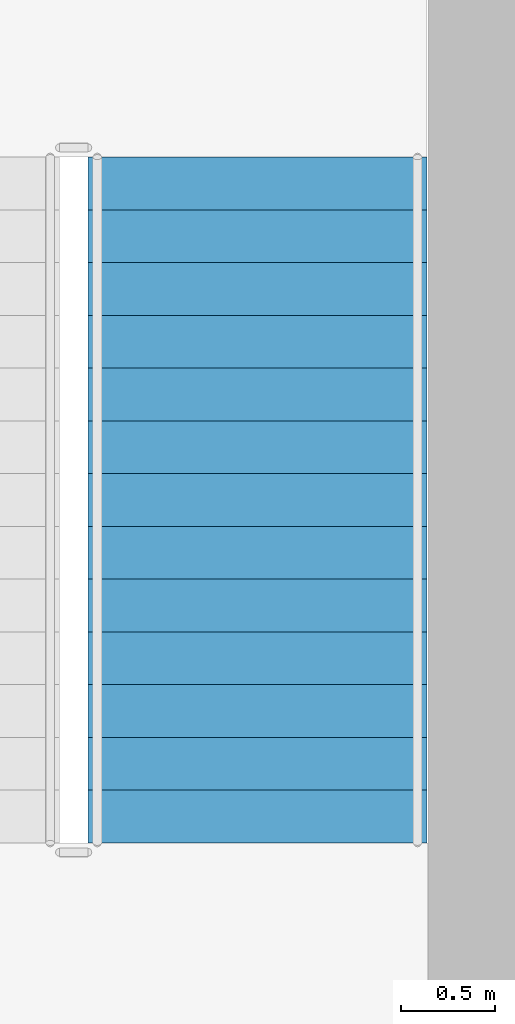
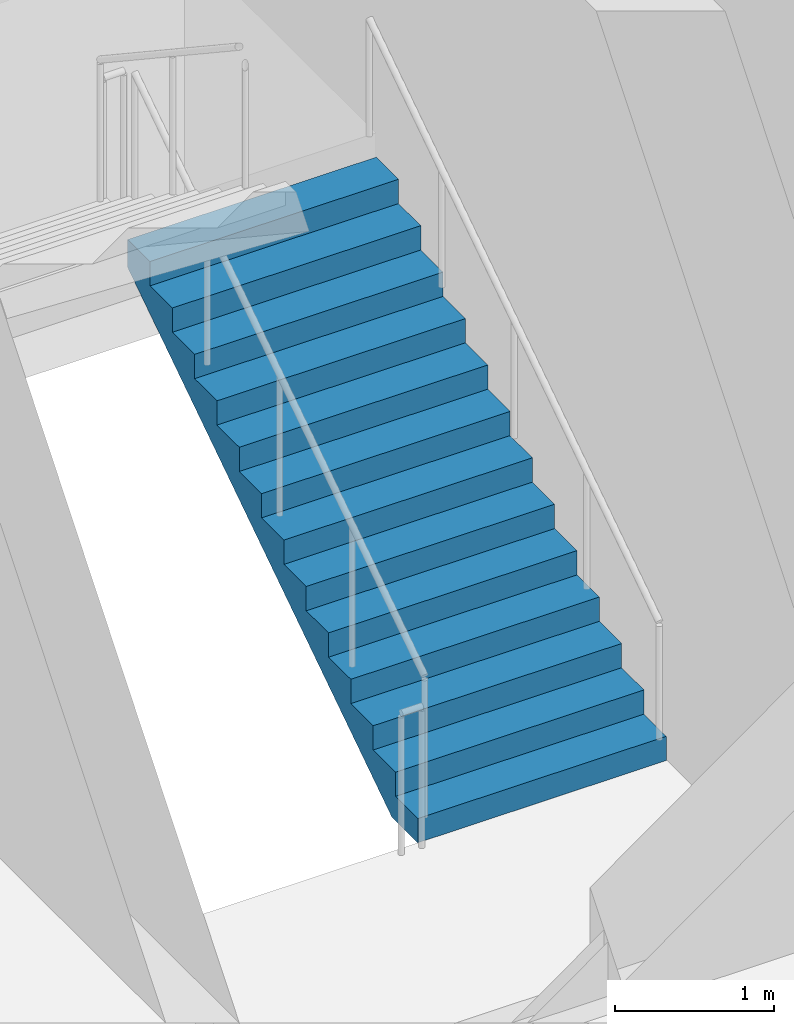
# One storey, part 8 of 11: 1 stair flight, 1 element without a shape of its own.
"""IFC4 building model written with IfcOpenShell, lengths in metres."""

from ifc_helpers import new_model, si_unit, direction, frame, origin, place, context, subcontext, project, spatial, polyline, outline, extrude, material, type_object, element, aggregate, save


model = new_model("IFC4")

# Units and contexts
model_context = context("Model", 3, precision=1e-05, world=origin(), true_north=direction((0.0, 1.0)))
body_context = subcontext(model_context, "Body", "Model", "MODEL_VIEW")
ifc_project = project(units=[si_unit("LENGTHUNIT", "METRE"), si_unit("AREAUNIT", "SQUARE_METRE"), si_unit("VOLUMEUNIT", "CUBIC_METRE"), si_unit("PLANEANGLEUNIT", "RADIAN"), si_unit("MASSUNIT", "GRAM", prefix="KILO")], contexts=[model_context])

# Site, building, storey
site_placement = place(None, origin())
site = spatial("IfcSite", under=ifc_project, at=site_placement, CompositionType="ELEMENT")
building_placement = place(site_placement, origin())
building = spatial("IfcBuilding", under=site, at=building_placement, Name="Sulina Concourse Tower", CompositionType="ELEMENT")
storey_placement = place(building_placement, frame((0.0, 0.0, 238.60009765625)))
storey = spatial("IfcBuildingStorey", under=building, at=storey_placement, Name="L58", CompositionType="ELEMENT", Elevation=238.60009765625)

# Stair, stair flight
ifc_material_1 = material(Name="Concrete C50/60", Category="concrete")
stair_type = type_object("IfcStairType", Name="Portal & Podium Core Exit Stair 1820mm", PredefinedType="HALF_TURN_STAIR", material=ifc_material_1)
stair_placement = place(storey_placement, origin())
stair = element("IfcStair", 1, at=stair_placement, inside=storey, type_object=stair_type, Name="L58 ST-4", PredefinedType="HALF_TURN_STAIR")
ifc_material_2 = material(Name="Concrete C50/60", Category="concrete")
stair_flight_type = type_object("IfcStairFlightType", Name="Portal & Podium Core Exit Stair 1820mm Flight", PredefinedType="STRAIGHT", material=ifc_material_2)
stair_flight_placement = place(storey_placement, frame((53.544921875, 36.375, 0.0), z_axis=(0.0, 0.0, 1.0), x_axis=(0.0, 1.0, 0.0)))
stair_flight = element("IfcStairFlight", 2, at=stair_flight_placement, type_object=stair_flight_type, Name="ST-4 flight 1", NumberOfRisers=14, NumberOfTreads=13, PredefinedType="STRAIGHT", RiserHeight=0.185714286, TreadLength=0.28, context=body_context, shape_type="SweptSolid", body=[
    extrude(outline(polyline([(0.0, 0.0), (0.0, 0.185791015625), (0.280029296875, 0.185791015625), (0.280029296875, 0.371337890625), (0.56005859375, 0.371337890625), (0.56005859375, 0.55712890625), (0.840087890625, 0.55712890625), (0.840087890625, 0.742919921875), (1.1201171875, 0.742919921875), (1.1201171875, 0.928466796875), (1.39990234375, 0.928466796875), (1.39990234375, 1.1142578125), (1.679931640625, 1.1142578125), (1.679931640625, 1.300048828125), (1.9599609375, 1.300048828125), (1.9599609375, 1.485595703125), (2.239990234375, 1.485595703125), (2.239990234375, 1.67138671875), (2.52001953125, 1.67138671875), (2.52001953125, 1.857177734375), (2.800048828125, 1.857177734375), (2.800048828125, 2.04296875), (3.080078125, 2.04296875), (3.080078125, 2.228515625), (3.360107421875, 2.228515625), (3.360107421875, 2.414306640625), (3.639892578125, 2.414306640625), (3.639892578125, 2.60009765625), (3.639892578125, 2.198486328125), (0.325439453125, 0.0), (0.0, 0.0)])), frame((0.0, 0.89990234375, 0.0), z_axis=(0.0, -1.0, 0.0), x_axis=(1.0, 0.0, 0.0)), (0.0, 0.0, 1.0), 1.800048828125),
])
aggregate(stair, [stair_flight])

save(model, "model.ifc")
